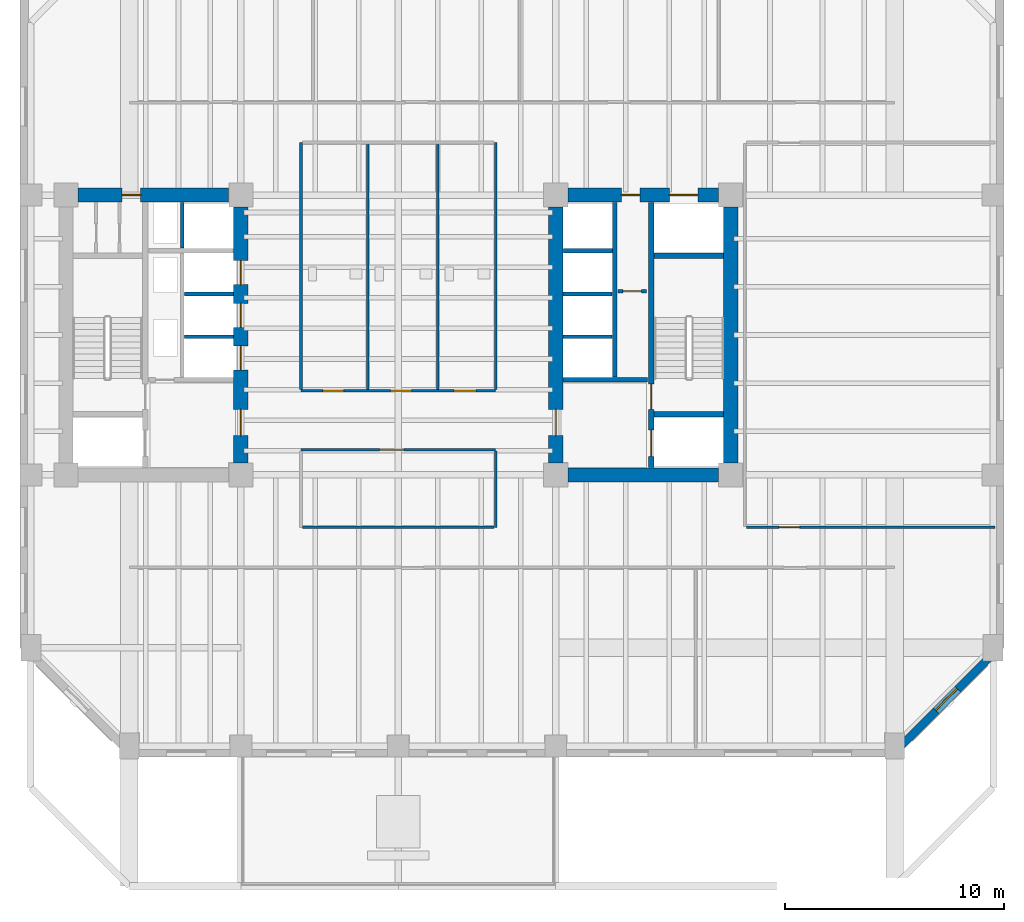
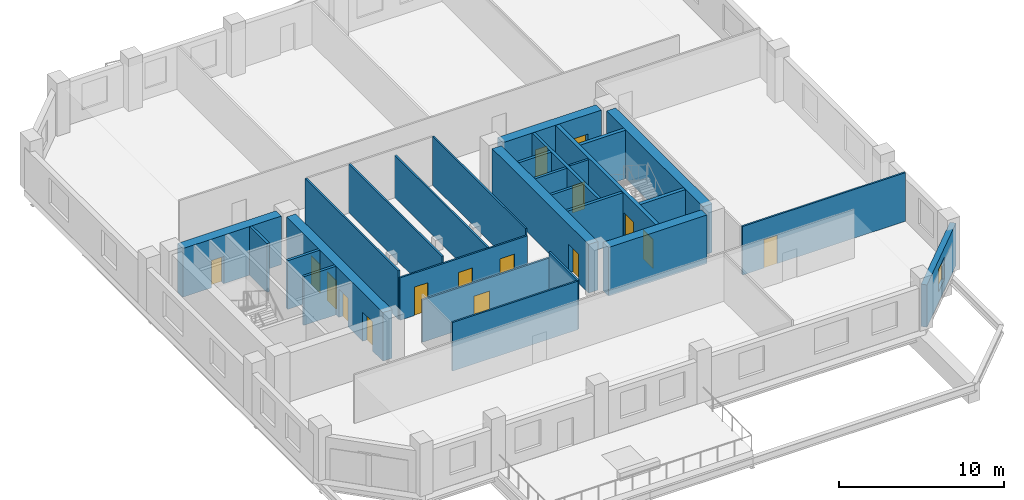
# One storey, part 4 of 10: 28 walls, 16 doors, 1 window, 17 openings.
"""IFC4 building model written with IfcOpenShell, lengths in metres."""

from ifc_helpers import new_model, si_unit, direction, frame, frame_2d, origin, place, context, subcontext, project, spatial, rectangle, extrude, material, layer, layer_set, type_object, element, fill, save


model = new_model("IFC4")

# Units and contexts
model_context = context("Model", 3, precision=1e-05, world=origin(), true_north=direction((0.0, 1.0)))
body_context = subcontext(model_context, "Body", "Model", "MODEL_VIEW")
ifc_project = project(units=[si_unit("LENGTHUNIT", "METRE"), si_unit("AREAUNIT", "SQUARE_METRE"), si_unit("VOLUMEUNIT", "CUBIC_METRE"), si_unit("PLANEANGLEUNIT", "RADIAN"), si_unit("MASSUNIT", "GRAM", prefix="KILO")], contexts=[model_context])

# Site, building, storey
site_placement = place(None, origin())
site = spatial("IfcSite", under=ifc_project, at=site_placement, CompositionType="ELEMENT")
building_placement = place(site_placement, origin())
building = spatial("IfcBuilding", under=site, at=building_placement, Name="Kranthara Brick Stack", CompositionType="ELEMENT")
storey_placement = place(building_placement, frame((0.0, 0.0, 71.10009765625)))
storey = spatial("IfcBuildingStorey", under=building, at=storey_placement, Name="L17", CompositionType="ELEMENT", Elevation=71.10009765625)

# Wall, opening, window
ifc_material_1 = material(Name="Kiln-fired clay brick masonry M15", Category="masonry")
ifc_layer_1 = layer(ifc_material_1, 0.3798828125)
ifc_layer_set_1 = layer_set([ifc_layer_1], Name="Kiln-fired clay brick masonry M15")
wall_type_1 = type_object("IfcWallType", Name="WL-BRK-PIER-380", PredefinedType="STANDARD", material=ifc_layer_set_1)
wall_1_placement = place(storey_placement, frame((55.489990234375, 12.89990234375, 0.0), z_axis=(0.0, 0.0, 1.0), x_axis=(-0.707124801467, -0.707088760447, 0.0)))
wall_1 = element("IfcWall", 1, at=wall_1_placement, inside=storey, type_object=wall_type_1, Name="L17 Exterior Brick Facade Wall SE 1", PredefinedType="STANDARD", context=body_context, shape_type="SweptSolid", body=[
    extrude(rectangle(XDim=6.77392578125, YDim=0.3798828125, at=frame_2d((3.386962890625, 0.0))), origin(), (0.0, 0.0, 1.0), 3.135009765625),
])
opening_1_placement = place(wall_1_placement, frame((2.68701171875, 0.0, 0.800048828125)))
opening_1 = element("IfcOpeningElement", 2, at=opening_1_placement, cuts=wall_1, Name="Opening WN10", PredefinedType="OPENING", context=body_context, shape_type="SweptSolid", body=[
    extrude(rectangle(XDim=1.39990234375, YDim=1.64990234375, at=frame_2d((0.699951171875, 0.824951171875))), frame((0.0, 0.199951171875, 0.0), z_axis=(0.0, -1.0, 0.0), x_axis=(1.0, 0.0, 0.0)), (0.0, 0.0, 1.0), 0.39990234375),
])
ifc_material_2 = material(Name="Double-glazed low-E solar control glass", Category="glass")
window_type = type_object("IfcWindowType", Name="WN-CHM-1400x1750", PartitioningType="SINGLE_PANEL", PredefinedType="WINDOW", material=ifc_material_2)
window_placement = place(opening_1_placement, origin())
window = element("IfcWindow", 3, at=window_placement, inside=storey, type_object=window_type, Name="L17 SE Chamfer Corner Window", OverallHeight=1.64990234375, OverallWidth=1.39990234375, PartitioningType="SINGLE_PANEL", PredefinedType="WINDOW", context=body_context, shape_type="SweptSolid", body=[
    extrude(rectangle(XDim=1.39990234375, YDim=1.64990234375, at=frame_2d((0.699951171875, 0.824951171875))), frame((0.0, -0.010009765625, 0.0), z_axis=(0.0, -1.0, 0.0), x_axis=(1.0, 0.0, 0.0)), (0.0, 0.0, 1.0), 0.06005859375),
])
fill(opening_1, window)

# Wall, openings, doors
ifc_material_3 = material(Name="Concrete C50/60", Category="concrete")
ifc_layer_2 = layer(ifc_material_3, 0.25)
ifc_layer_set_2 = layer_set([ifc_layer_2], Name="Concrete C50/60")
wall_type_2 = type_object("IfcWallType", Name="WL-CORE-250", PredefinedType="SHEAR", material=ifc_layer_set_2)
wall_2_placement = place(storey_placement, frame((39.56494140625, 21.135009765625, 0.0), z_axis=(0.0, 0.0, 1.0), x_axis=(0.0, 1.0, 0.0)))
wall_2 = element("IfcWall", 4, at=wall_2_placement, inside=storey, type_object=wall_type_2, Name="L17 East Core Stair Bearing Spine Wall", PredefinedType="SHEAR", context=body_context, shape_type="SweptSolid", body=[
    extrude(rectangle(XDim=12.1298828125, YDim=0.25, at=frame_2d((6.06494140625, 0.0))), origin(), (0.0, 0.0, 1.0), 3.599853515625),
])
opening_2_placement = place(wall_2_placement, frame((0.514892578125, 0.0, 0.0)))
opening_2 = element("IfcOpeningElement", 5, at=opening_2_placement, cuts=wall_2, Name="Opening LD01", PredefinedType="OPENING", context=body_context, shape_type="SweptSolid", body=[
    extrude(rectangle(XDim=1.199951171875, YDim=2.14990234375, at=frame_2d((0.60009765625, 1.074951171875))), frame((0.0, 0.135009765625, 0.0), z_axis=(0.0, -1.0, 0.0), x_axis=(1.0, 0.0, 0.0)), (0.0, 0.0, 1.0), 0.27001953125),
])
opening_3_placement = place(wall_2_placement, frame((2.6650390625, 0.0, 0.0)))
opening_3 = element("IfcOpeningElement", 6, at=opening_3_placement, cuts=wall_2, Name="Opening D05", PredefinedType="OPENING", context=body_context, shape_type="SweptSolid", body=[
    extrude(rectangle(XDim=1.14990234375, YDim=2.14990234375, at=frame_2d((0.574951171875, 1.074951171875))), frame((0.0, 0.135009765625, 0.0), z_axis=(0.0, -1.0, 0.0), x_axis=(1.0, 0.0, 0.0)), (0.0, 0.0, 1.0), 0.27001953125),
])
ifc_material_4 = material(Name="Stainless steel sliding landing door", Category="steel")
door_type_1 = type_object("IfcDoorType", Name="DR-LD-FF1200", OperationType="DOUBLE_DOOR_SLIDING", PredefinedType="DOOR", material=ifc_material_4)
door_1_placement = place(opening_2_placement, origin())
door_1 = element("IfcDoor", 7, at=door_1_placement, inside=storey, type_object=door_type_1, Name="L17 Firefighting Lift FF-02 Landing Door", OperationType="DOUBLE_DOOR_SLIDING", OverallHeight=2.14990234375, OverallWidth=1.199951171875, PredefinedType="DOOR", context=body_context, shape_type="SweptSolid", body=[
    extrude(rectangle(XDim=1.199951171875, YDim=2.14990234375, at=frame_2d((0.60009765625, 1.074951171875))), frame((0.0, 0.02490234375, 0.0), z_axis=(0.0, -1.0, 0.0), x_axis=(1.0, 0.0, 0.0)), (0.0, 0.0, 1.0), 0.050048828125),
])
fill(opening_2, door_1)
ifc_material_5 = material(Name="Solid-core hardwood timber leaf in steel frame", Category="steel")
door_type_2 = type_object("IfcDoorType", Name="DR-ST-1150", OperationType="NOTDEFINED", PredefinedType="DOOR", material=ifc_material_5)
door_2_placement = place(opening_3_placement, origin())
door_2 = element("IfcDoor", 8, at=door_2_placement, inside=storey, type_object=door_type_2, Name="L17 Exit Stair ST02 Door", OperationType="SINGLE_SWING_LEFT", OverallHeight=2.14990234375, OverallWidth=1.14990234375, PredefinedType="DOOR", context=body_context, shape_type="SweptSolid", body=[
    extrude(rectangle(XDim=1.14990234375, YDim=2.14990234375, at=frame_2d((0.574951171875, 1.074951171875))), frame((0.0, 0.02490234375, 0.0), z_axis=(0.0, -1.0, 0.0), x_axis=(1.0, 0.0, 0.0)), (0.0, 0.0, 1.0), 0.050048828125),
])
fill(opening_3, door_2)

# Walls
for number, where, z_axis, x_axis, name in (
    (9, (39.68994140625, 23.570068359375, 0.0), (0.0, 0.0, 1.0), (1.0, 0.0, 0.0), "L17 East Stairwell Bearing Wall EFF"),
    (10, (39.68994140625, 30.830078125, 0.0), (0.0, 0.0, 1.0), (1.0, 0.0, 0.0), "L17 East Stairwell Bearing Wall EST"),
):
    element("IfcWall", number, at=place(storey_placement, frame(where, z_axis=z_axis, x_axis=x_axis)), inside=storey, type_object=wall_type_2, Name=name, PredefinedType="SHEAR", context=body_context, shape_type="SweptSolid", body=[
        extrude(rectangle(XDim=3.175048828125, YDim=0.25, at=frame_2d((1.58740234375, 0.0))), origin(), (0.0, 0.0, 1.0), 3.599853515625),
    ])

# Wall, opening, door
ifc_material_6 = material(Name="Concrete C60/75", Category="concrete")
ifc_layer_3 = layer(ifc_material_6, 0.64990234375)
ifc_layer_set_3 = layer_set([ifc_layer_3], Name="Concrete C60/75")
wall_type_3 = type_object("IfcWallType", Name="WL-CORE-650", PredefinedType="SHEAR", material=ifc_layer_set_3)
wall_3_placement = place(storey_placement, frame((13.35498046875, 33.60009765625, 0.0), z_axis=(0.0, 0.0, 1.0), x_axis=(1.0, 0.0, 0.0)))
wall_3 = element("IfcWall", 11, at=wall_3_placement, inside=storey, type_object=wall_type_3, Name="L17 West Core Shear Wall North", PredefinedType="SHEAR", context=body_context, shape_type="SweptSolid", body=[
    extrude(rectangle(XDim=6.89013671875, YDim=0.64990234375, at=frame_2d((3.445068359375, 0.0))), origin(), (0.0, 0.0, 1.0), 3.599853515625),
])
opening_4_placement = place(wall_3_placement, frame((2.014892578125, 0.0, 0.0)))
opening_4 = element("IfcOpeningElement", 12, at=opening_4_placement, cuts=wall_3, Name="Opening D10", PredefinedType="OPENING", context=body_context, shape_type="SweptSolid", body=[
    extrude(rectangle(XDim=0.85009765625, YDim=2.02001953125, at=frame_2d((0.425048828125, 1.010009765625))), frame((0.0, 0.3349609375, 0.0), z_axis=(0.0, -1.0, 0.0), x_axis=(1.0, 0.0, 0.0)), (0.0, 0.0, 1.0), 0.669921875),
])
ifc_material_7 = material(Name="Solid-core hardwood timber leaf in steel frame", Category="steel")
door_type_3 = type_object("IfcDoorType", Name="DR-RSR-850", OperationType="NOTDEFINED", PredefinedType="DOOR", material=ifc_material_7)
door_3_placement = place(opening_4_placement, origin())
door_3 = element("IfcDoor", 13, at=door_3_placement, inside=storey, type_object=door_type_3, Name="L17 West Core Service Door 1", OperationType="SINGLE_SWING_RIGHT", OverallHeight=2.02001953125, OverallWidth=0.85009765625, PredefinedType="DOOR", context=body_context, shape_type="SweptSolid", body=[
    extrude(rectangle(XDim=0.85009765625, YDim=2.02001953125, at=frame_2d((0.425048828125, 1.010009765625))), frame((0.0, 0.02490234375, 0.0), z_axis=(0.0, -1.0, 0.0), x_axis=(1.0, 0.0, 0.0)), (0.0, 0.0, 1.0), 0.050048828125),
])
fill(opening_4, door_3)

# Wall, openings, doors
wall_4_placement = place(storey_placement, frame((20.800048828125, 21.35498046875, 0.0), z_axis=(0.0, 0.0, 1.0), x_axis=(0.0, 1.0, 0.0)))
wall_4 = element("IfcWall", 14, at=wall_4_placement, inside=storey, type_object=wall_type_3, Name="L17 West Core Shear Wall East", PredefinedType="SHEAR", context=body_context, shape_type="SweptSolid", body=[
    extrude(rectangle(XDim=11.68994140625, YDim=0.64990234375, at=frame_2d((5.844970703125, 0.0))), origin(), (0.0, 0.0, 1.0), 3.599853515625),
])
opening_5_placement = place(wall_4_placement, frame((1.2451171875, 0.0, 0.0)))
opening_5 = element("IfcOpeningElement", 15, at=opening_5_placement, cuts=wall_4, Name="Opening D06", PredefinedType="OPENING", context=body_context, shape_type="SweptSolid", body=[
    extrude(rectangle(XDim=1.199951171875, YDim=2.14990234375, at=frame_2d((0.60009765625, 1.074951171875))), frame((0.0, 0.3349609375, 0.0), z_axis=(0.0, -1.0, 0.0), x_axis=(1.0, 0.0, 0.0)), (0.0, 0.0, 1.0), 0.669921875),
])
opening_6_placement = place(wall_4_placement, frame((4.2451171875, 0.0, 0.0)))
opening_6 = element("IfcOpeningElement", 16, at=opening_6_placement, cuts=wall_4, Name="Opening LD02", PredefinedType="OPENING", context=body_context, shape_type="SweptSolid", body=[
    extrude(rectangle(XDim=1.10009765625, YDim=2.10009765625, at=frame_2d((0.550048828125, 1.050048828125))), frame((0.0, 0.3349609375, 0.0), z_axis=(0.0, -1.0, 0.0), x_axis=(1.0, 0.0, 0.0)), (0.0, 0.0, 1.0), 0.669921875),
])
opening_7_placement = place(wall_4_placement, frame((6.195068359375, 0.0, 0.0)))
opening_7 = element("IfcOpeningElement", 17, at=opening_7_placement, cuts=wall_4, Name="Opening LD02", PredefinedType="OPENING", context=body_context, shape_type="SweptSolid", body=[
    extrude(rectangle(XDim=1.10009765625, YDim=2.10009765625, at=frame_2d((0.550048828125, 1.050048828125))), frame((0.0, 0.3349609375, 0.0), z_axis=(0.0, -1.0, 0.0), x_axis=(1.0, 0.0, 0.0)), (0.0, 0.0, 1.0), 0.669921875),
])
opening_8_placement = place(wall_4_placement, frame((8.14501953125, 0.0, 0.0)))
opening_8 = element("IfcOpeningElement", 18, at=opening_8_placement, cuts=wall_4, Name="Opening LD02", PredefinedType="OPENING", context=body_context, shape_type="SweptSolid", body=[
    extrude(rectangle(XDim=1.10009765625, YDim=2.10009765625, at=frame_2d((0.550048828125, 1.050048828125))), frame((0.0, 0.3349609375, 0.0), z_axis=(0.0, -1.0, 0.0), x_axis=(1.0, 0.0, 0.0)), (0.0, 0.0, 1.0), 0.669921875),
])
ifc_material_8 = material(Name="Solid-core hardwood timber leaf in steel frame", Category="steel")
door_type_4 = type_object("IfcDoorType", Name="DR-FFL-1200", OperationType="NOTDEFINED", PredefinedType="DOOR", material=ifc_material_8)
door_4_placement = place(opening_5_placement, origin())
door_4 = element("IfcDoor", 19, at=door_4_placement, inside=storey, type_object=door_type_4, Name="L17 West Firefighting Lobby Door", OperationType="SINGLE_SWING_LEFT", OverallHeight=2.14990234375, OverallWidth=1.199951171875, PredefinedType="DOOR", context=body_context, shape_type="SweptSolid", body=[
    extrude(rectangle(XDim=1.199951171875, YDim=2.14990234375, at=frame_2d((0.60009765625, 1.074951171875))), frame((0.0, 0.02490234375, 0.0), z_axis=(0.0, -1.0, 0.0), x_axis=(1.0, 0.0, 0.0)), (0.0, 0.0, 1.0), 0.050048828125),
])
fill(opening_5, door_4)
ifc_material_9 = material(Name="Stainless steel sliding landing door", Category="steel")
door_type_5 = type_object("IfcDoorType", Name="DR-LD-PL1100", OperationType="DOUBLE_DOOR_SLIDING", PredefinedType="DOOR", material=ifc_material_9)
door_5_placement = place(opening_6_placement, origin())
door_5 = element("IfcDoor", 20, at=door_5_placement, inside=storey, type_object=door_type_5, Name="L17 PL-01 Lift Landing Door", OperationType="DOUBLE_DOOR_SLIDING", OverallHeight=2.10009765625, OverallWidth=1.10009765625, PredefinedType="DOOR", context=body_context, shape_type="SweptSolid", body=[
    extrude(rectangle(XDim=1.10009765625, YDim=2.10009765625, at=frame_2d((0.550048828125, 1.050048828125))), frame((0.0, 0.02490234375, 0.0), z_axis=(0.0, -1.0, 0.0), x_axis=(1.0, 0.0, 0.0)), (0.0, 0.0, 1.0), 0.050048828125),
])
fill(opening_6, door_5)
door_6_placement = place(opening_7_placement, origin())
door_6 = element("IfcDoor", 21, at=door_6_placement, inside=storey, type_object=door_type_5, Name="L17 PL-02 Lift Landing Door", OperationType="DOUBLE_DOOR_SLIDING", OverallHeight=2.10009765625, OverallWidth=1.10009765625, PredefinedType="DOOR", context=body_context, shape_type="SweptSolid", body=[
    extrude(rectangle(XDim=1.10009765625, YDim=2.10009765625, at=frame_2d((0.550048828125, 1.050048828125))), frame((0.0, 0.02490234375, 0.0), z_axis=(0.0, -1.0, 0.0), x_axis=(1.0, 0.0, 0.0)), (0.0, 0.0, 1.0), 0.050048828125),
])
fill(opening_7, door_6)
door_7_placement = place(opening_8_placement, origin())
door_7 = element("IfcDoor", 22, at=door_7_placement, inside=storey, type_object=door_type_5, Name="L17 PL-03 Lift Landing Door", OperationType="DOUBLE_DOOR_SLIDING", OverallHeight=2.10009765625, OverallWidth=1.10009765625, PredefinedType="DOOR", context=body_context, shape_type="SweptSolid", body=[
    extrude(rectangle(XDim=1.10009765625, YDim=2.10009765625, at=frame_2d((0.550048828125, 1.050048828125))), frame((0.0, 0.02490234375, 0.0), z_axis=(0.0, -1.0, 0.0), x_axis=(1.0, 0.0, 0.0)), (0.0, 0.0, 1.0), 0.050048828125),
])
fill(opening_8, door_7)

# Walls
wall_5_placement = place(storey_placement, frame((43.199951171875, 21.35498046875, 0.0), z_axis=(0.0, 0.0, 1.0), x_axis=(0.0, 1.0, 0.0)))
element("IfcWall", 23, at=wall_5_placement, inside=storey, type_object=wall_type_3, Name="L17 East Core Shear Wall East", PredefinedType="SHEAR", context=body_context, shape_type="SweptSolid", body=[
    extrude(rectangle(XDim=11.68994140625, YDim=0.64990234375, at=frame_2d((5.844970703125, 0.0))), origin(), (0.0, 0.0, 1.0), 3.599853515625),
])
wall_6_placement = place(storey_placement, frame((35.7548828125, 20.800048828125, 0.0), z_axis=(0.0, 0.0, 1.0), x_axis=(1.0, 0.0, 0.0)))
element("IfcWall", 24, at=wall_6_placement, inside=storey, type_object=wall_type_3, Name="L17 East Core Shear Wall South", PredefinedType="SHEAR", context=body_context, shape_type="SweptSolid", body=[
    extrude(rectangle(XDim=6.89013671875, YDim=0.64990234375, at=frame_2d((3.445068359375, 0.0))), origin(), (0.0, 0.0, 1.0), 3.599853515625),
])

# Wall, openings, doors
wall_7_placement = place(storey_placement, frame((35.7548828125, 33.60009765625, 0.0), z_axis=(0.0, 0.0, 1.0), x_axis=(1.0, 0.0, 0.0)))
wall_7 = element("IfcWall", 25, at=wall_7_placement, inside=storey, type_object=wall_type_3, Name="L17 East Core Shear Wall North", PredefinedType="SHEAR", context=body_context, shape_type="SweptSolid", body=[
    extrude(rectangle(XDim=6.89013671875, YDim=0.64990234375, at=frame_2d((3.445068359375, 0.0))), origin(), (0.0, 0.0, 1.0), 3.599853515625),
])
opening_9_placement = place(wall_7_placement, frame((4.64501953125, 0.0, 0.0)))
opening_9 = element("IfcOpeningElement", 26, at=opening_9_placement, cuts=wall_7, Name="Opening LD03", PredefinedType="OPENING", context=body_context, shape_type="SweptSolid", body=[
    extrude(rectangle(XDim=1.300048828125, YDim=2.14990234375, at=frame_2d((0.64990234375, 1.074951171875))), frame((0.0, 0.3349609375, 0.0), z_axis=(0.0, -1.0, 0.0), x_axis=(1.0, 0.0, 0.0)), (0.0, 0.0, 1.0), 0.669921875),
])
opening_10_placement = place(wall_7_placement, frame((2.445068359375, 0.0, 0.0)))
opening_10 = element("IfcOpeningElement", 27, at=opening_10_placement, cuts=wall_7, Name="Opening D10", PredefinedType="OPENING", context=body_context, shape_type="SweptSolid", body=[
    extrude(rectangle(XDim=0.85009765625, YDim=2.02001953125, at=frame_2d((0.425048828125, 1.010009765625))), frame((0.0, 0.3349609375, 0.0), z_axis=(0.0, -1.0, 0.0), x_axis=(1.0, 0.0, 0.0)), (0.0, 0.0, 1.0), 0.669921875),
])
ifc_material_10 = material(Name="Stainless steel sliding landing door", Category="steel")
door_type_6 = type_object("IfcDoorType", Name="DR-LD-SV1300", OperationType="DOUBLE_DOOR_SLIDING", PredefinedType="DOOR", material=ifc_material_10)
door_8_placement = place(opening_9_placement, origin())
door_8 = element("IfcDoor", 28, at=door_8_placement, inside=storey, type_object=door_type_6, Name="L17 Stretcher Service Lift SV-01 Landing Door", OperationType="DOUBLE_DOOR_SLIDING", OverallHeight=2.14990234375, OverallWidth=1.300048828125, PredefinedType="DOOR", context=body_context, shape_type="SweptSolid", body=[
    extrude(rectangle(XDim=1.300048828125, YDim=2.14990234375, at=frame_2d((0.64990234375, 1.074951171875))), frame((0.0, 0.02490234375, 0.0), z_axis=(0.0, -1.0, 0.0), x_axis=(1.0, 0.0, 0.0)), (0.0, 0.0, 1.0), 0.050048828125),
])
fill(opening_9, door_8)
door_9_placement = place(opening_10_placement, origin())
door_9 = element("IfcDoor", 29, at=door_9_placement, inside=storey, type_object=door_type_3, Name="L17 East Core Service Room Door", OperationType="SINGLE_SWING_LEFT", OverallHeight=2.02001953125, OverallWidth=0.85009765625, PredefinedType="DOOR", context=body_context, shape_type="SweptSolid", body=[
    extrude(rectangle(XDim=0.85009765625, YDim=2.02001953125, at=frame_2d((0.425048828125, 1.010009765625))), frame((0.0, 0.02490234375, 0.0), z_axis=(0.0, -1.0, 0.0), x_axis=(1.0, 0.0, 0.0)), (0.0, 0.0, 1.0), 0.050048828125),
])
fill(opening_10, door_9)

# Wall, opening, door
wall_8_placement = place(storey_placement, frame((35.199951171875, 21.35498046875, 0.0), z_axis=(0.0, 0.0, 1.0), x_axis=(0.0, 1.0, 0.0)))
wall_8 = element("IfcWall", 30, at=wall_8_placement, inside=storey, type_object=wall_type_3, Name="L17 East Core Shear Wall West", PredefinedType="SHEAR", context=body_context, shape_type="SweptSolid", body=[
    extrude(rectangle(XDim=11.68994140625, YDim=0.64990234375, at=frame_2d((5.844970703125, 0.0))), origin(), (0.0, 0.0, 1.0), 3.599853515625),
])
opening_11_placement = place(wall_8_placement, frame((1.2451171875, 0.0, 0.0)))
opening_11 = element("IfcOpeningElement", 31, at=opening_11_placement, cuts=wall_8, Name="Opening D06", PredefinedType="OPENING", context=body_context, shape_type="SweptSolid", body=[
    extrude(rectangle(XDim=1.199951171875, YDim=2.14990234375, at=frame_2d((0.60009765625, 1.074951171875))), frame((0.0, 0.3349609375, 0.0), z_axis=(0.0, -1.0, 0.0), x_axis=(1.0, 0.0, 0.0)), (0.0, 0.0, 1.0), 0.669921875),
])
door_10_placement = place(opening_11_placement, origin())
door_10 = element("IfcDoor", 32, at=door_10_placement, inside=storey, type_object=door_type_4, Name="L17 East Firefighting Lobby Door", OperationType="SINGLE_SWING_RIGHT", OverallHeight=2.14990234375, OverallWidth=1.199951171875, PredefinedType="DOOR", context=body_context, shape_type="SweptSolid", body=[
    extrude(rectangle(XDim=1.199951171875, YDim=2.14990234375, at=frame_2d((0.60009765625, 1.074951171875))), frame((0.0, 0.02490234375, 0.0), z_axis=(0.0, -1.0, 0.0), x_axis=(1.0, 0.0, 0.0)), (0.0, 0.0, 1.0), 0.050048828125),
])
fill(opening_11, door_10)

# Wall, openings, doors
ifc_material_11 = material(Name="Acoustic gypsum plasterboard partition", Category="other")
ifc_layer_4 = layer(ifc_material_11, 0.1201171875)
ifc_layer_set_4 = layer_set([ifc_layer_4], Name="Acoustic gypsum plasterboard partition")
wall_type_4 = type_object("IfcWallType", Name="WL-PART-120", PredefinedType="PARTITIONING", material=ifc_layer_set_4)
wall_9_placement = place(storey_placement, frame((23.550048828125, 24.64990234375, 0.0), z_axis=(0.0, 0.0, 1.0), x_axis=(1.0, 0.0, 0.0)))
wall_9 = element("IfcWall", 33, at=wall_9_placement, inside=storey, type_object=wall_type_4, Name="L17 Interior Partition 004", PredefinedType="PARTITIONING", context=body_context, shape_type="SweptSolid", body=[
    extrude(rectangle(XDim=8.89990234375, YDim=0.1201171875, at=frame_2d((4.449951171875, 0.0))), origin(), (0.0, 0.0, 1.0), 3.135009765625),
])
opening_12_placement = place(wall_9_placement, frame((1.0, 0.0, 0.0)))
opening_12 = element("IfcOpeningElement", 34, at=opening_12_placement, cuts=wall_9, Name="Opening D14", PredefinedType="OPENING", context=body_context, shape_type="SweptSolid", body=[
    extrude(rectangle(XDim=0.949951171875, YDim=2.10009765625, at=frame_2d((0.47509765625, 1.050048828125))), frame((0.0, 0.070068359375, 0.0), z_axis=(0.0, -1.0, 0.0), x_axis=(1.0, 0.0, 0.0)), (0.0, 0.0, 1.0), 0.14013671875),
])
opening_13_placement = place(wall_9_placement, frame((4.10009765625, 0.0, 0.0)))
opening_13 = element("IfcOpeningElement", 35, at=opening_13_placement, cuts=wall_9, Name="Opening D14", PredefinedType="OPENING", context=body_context, shape_type="SweptSolid", body=[
    extrude(rectangle(XDim=0.949951171875, YDim=2.10009765625, at=frame_2d((0.47509765625, 1.050048828125))), frame((0.0, 0.070068359375, 0.0), z_axis=(0.0, -1.0, 0.0), x_axis=(1.0, 0.0, 0.0)), (0.0, 0.0, 1.0), 0.14013671875),
])
opening_14_placement = place(wall_9_placement, frame((7.0, 0.0, 0.0)))
opening_14 = element("IfcOpeningElement", 36, at=opening_14_placement, cuts=wall_9, Name="Opening D18", PredefinedType="OPENING", context=body_context, shape_type="SweptSolid", body=[
    extrude(rectangle(XDim=1.0, YDim=2.10009765625, at=frame_2d((0.5, 1.050048828125))), frame((0.0, 0.070068359375, 0.0), z_axis=(0.0, -1.0, 0.0), x_axis=(1.0, 0.0, 0.0)), (0.0, 0.0, 1.0), 0.14013671875),
])
ifc_material_12 = material(Name="Solid-core hardwood timber leaf in steel frame", Category="steel")
door_type_7 = type_object("IfcDoorType", Name="DR-ACC-1000", OperationType="NOTDEFINED", PredefinedType="DOOR", material=ifc_material_12)
door_11_placement = place(opening_14_placement, origin())
door_11 = element("IfcDoor", 37, at=door_11_placement, inside=storey, type_object=door_type_7, Name="L17 Accessible WC Door 06", OperationType="SINGLE_SWING_RIGHT", OverallHeight=2.10009765625, OverallWidth=1.0, PredefinedType="DOOR", context=body_context, shape_type="SweptSolid", body=[
    extrude(rectangle(XDim=1.0, YDim=2.10009765625, at=frame_2d((0.5, 1.050048828125))), frame((0.0, 0.02490234375, 0.0), z_axis=(0.0, -1.0, 0.0), x_axis=(1.0, 0.0, 0.0)), (0.0, 0.0, 1.0), 0.050048828125),
])
fill(opening_14, door_11)
ifc_material_13 = material(Name="Solid-core hardwood timber leaf in steel frame", Category="steel")
door_type_8 = type_object("IfcDoorType", Name="DR-INT-950", OperationType="NOTDEFINED", PredefinedType="DOOR", material=ifc_material_13)
door_12_placement = place(opening_12_placement, origin())
door_12 = element("IfcDoor", 38, at=door_12_placement, inside=storey, type_object=door_type_8, Name="L17 Male WC Door 04", OperationType="SINGLE_SWING_RIGHT", OverallHeight=2.10009765625, OverallWidth=0.949951171875, PredefinedType="DOOR", context=body_context, shape_type="SweptSolid", body=[
    extrude(rectangle(XDim=0.949951171875, YDim=2.10009765625, at=frame_2d((0.47509765625, 1.050048828125))), frame((0.0, 0.02490234375, 0.0), z_axis=(0.0, -1.0, 0.0), x_axis=(1.0, 0.0, 0.0)), (0.0, 0.0, 1.0), 0.050048828125),
])
fill(opening_12, door_12)
door_13_placement = place(opening_13_placement, origin())
door_13 = element("IfcDoor", 39, at=door_13_placement, inside=storey, type_object=door_type_8, Name="L17 Female WC Door 05", OperationType="SINGLE_SWING_LEFT", OverallHeight=2.10009765625, OverallWidth=0.949951171875, PredefinedType="DOOR", context=body_context, shape_type="SweptSolid", body=[
    extrude(rectangle(XDim=0.949951171875, YDim=2.10009765625, at=frame_2d((0.47509765625, 1.050048828125))), frame((0.0, 0.02490234375, 0.0), z_axis=(0.0, -1.0, 0.0), x_axis=(1.0, 0.0, 0.0)), (0.0, 0.0, 1.0), 0.050048828125),
])
fill(opening_13, door_13)

# Walls
for number, where, z_axis, x_axis, name in (
    (40, (23.550048828125, 24.715087890625, 0.0), (0.0, 0.0, 1.0), (0.0, 1.0, 0.0), "L17 Interior Partition 005"),
    (41, (32.449951171875, 24.715087890625, 0.0), (0.0, 0.0, 1.0), (0.0, 1.0, 0.0), "L17 Interior Partition 006"),
    (42, (26.60009765625, 24.715087890625, 0.0), (0.0, 0.0, 1.0), (0.0, 1.0, 0.0), "L17 Interior Partition 007"),
):
    element("IfcWall", number, at=place(storey_placement, frame(where, z_axis=z_axis, x_axis=x_axis)), inside=storey, type_object=wall_type_4, Name=name, PredefinedType="PARTITIONING", context=body_context, shape_type="SweptSolid", body=[
        extrude(rectangle(XDim=11.284912109375, YDim=0.1201171875, at=frame_2d((5.642578125, 0.0))), origin(), (0.0, 0.0, 1.0), 3.599853515625),
    ])
wall_10_placement = place(storey_placement, frame((29.800048828125, 24.715087890625, 0.0), z_axis=(0.0, 0.0, 1.0), x_axis=(0.0, 1.0, 0.0)))
element("IfcWall", 43, at=wall_10_placement, inside=storey, type_object=wall_type_4, Name="L17 Interior Partition 008", PredefinedType="PARTITIONING", context=body_context, shape_type="SweptSolid", body=[
    extrude(rectangle(XDim=11.284912109375, YDim=0.1201171875, at=frame_2d((5.642578125, 0.0))), origin(), (0.0, 0.0, 1.0), 3.135009765625),
])

# Wall, opening, door
wall_11_placement = place(storey_placement, frame((23.550048828125, 21.949951171875, 0.0), z_axis=(0.0, 0.0, 1.0), x_axis=(1.0, 0.0, 0.0)))
wall_11 = element("IfcWall", 44, at=wall_11_placement, inside=storey, type_object=wall_type_4, Name="L17 Interior Partition 010", PredefinedType="PARTITIONING", context=body_context, shape_type="SweptSolid", body=[
    extrude(rectangle(XDim=8.89990234375, YDim=0.1201171875, at=frame_2d((4.449951171875, 0.0))), origin(), (0.0, 0.0, 1.0), 3.135009765625),
])
opening_15_placement = place(wall_11_placement, frame((3.60009765625, 0.0, 0.0)))
opening_15 = element("IfcOpeningElement", 45, at=opening_15_placement, cuts=wall_11, Name="Opening D11", PredefinedType="OPENING", context=body_context, shape_type="SweptSolid", body=[
    extrude(rectangle(XDim=1.10009765625, YDim=2.14990234375, at=frame_2d((0.550048828125, 1.074951171875))), frame((0.0, 0.070068359375, 0.0), z_axis=(0.0, -1.0, 0.0), x_axis=(1.0, 0.0, 0.0)), (0.0, 0.0, 1.0), 0.14013671875),
])
ifc_material_14 = material(Name="Solid-core hardwood timber leaf in steel frame", Category="steel")
door_type_9 = type_object("IfcDoorType", Name="DR-INT-1100", OperationType="NOTDEFINED", PredefinedType="DOOR", material=ifc_material_14)
door_14_placement = place(opening_15_placement, origin())
door_14 = element("IfcDoor", 46, at=door_14_placement, inside=storey, type_object=door_type_9, Name="L17 Internal Briefing Room 07", OperationType="SINGLE_SWING_LEFT", OverallHeight=2.14990234375, OverallWidth=1.10009765625, PredefinedType="DOOR", context=body_context, shape_type="SweptSolid", body=[
    extrude(rectangle(XDim=1.10009765625, YDim=2.14990234375, at=frame_2d((0.550048828125, 1.074951171875))), frame((0.0, 0.02490234375, 0.0), z_axis=(0.0, -1.0, 0.0), x_axis=(1.0, 0.0, 0.0)), (0.0, 0.0, 1.0), 0.050048828125),
])
fill(opening_15, door_14)

# Walls
wall_12_placement = place(storey_placement, frame((32.449951171875, 18.39990234375, 0.0), z_axis=(0.0, 0.0, 1.0), x_axis=(0.0, 1.0, 0.0)))
element("IfcWall", 47, at=wall_12_placement, inside=storey, type_object=wall_type_4, Name="L17 Interior Partition 012", PredefinedType="PARTITIONING", context=body_context, shape_type="SweptSolid", body=[
    extrude(rectangle(XDim=3.485107421875, YDim=0.1201171875, at=frame_2d((1.74267578125, 0.0))), origin(), (0.0, 0.0, 1.0), 3.599853515625),
])
wall_13_placement = place(storey_placement, frame((23.614990234375, 18.39990234375, 0.0), z_axis=(0.0, 0.0, 1.0), x_axis=(1.0, 0.0, 0.0)))
element("IfcWall", 48, at=wall_13_placement, inside=storey, type_object=wall_type_4, Name="L17 Interior Partition 013", PredefinedType="PARTITIONING", context=body_context, shape_type="SweptSolid", body=[
    extrude(rectangle(XDim=8.77001953125, YDim=0.1201171875, at=frame_2d((4.385009765625, 0.0))), origin(), (0.0, 0.0, 1.0), 3.599853515625),
])

# Wall, opening, door
wall_14_placement = place(storey_placement, frame((43.9150390625, 18.39990234375, 0.0), z_axis=(0.0, 0.0, 1.0), x_axis=(1.0, 0.0, 0.0)))
wall_14 = element("IfcWall", 49, at=wall_14_placement, inside=storey, type_object=wall_type_4, Name="L17 Interior Partition 021", PredefinedType="PARTITIONING", context=body_context, shape_type="SweptSolid", body=[
    extrude(rectangle(XDim=11.3798828125, YDim=0.1201171875, at=frame_2d((5.68994140625, 0.0))), origin(), (0.0, 0.0, 1.0), 3.599853515625),
])
opening_16_placement = place(wall_14_placement, frame((1.485107421875, 0.0, 0.0)))
opening_16 = element("IfcOpeningElement", 50, at=opening_16_placement, cuts=wall_14, Name="Opening D14", PredefinedType="OPENING", context=body_context, shape_type="SweptSolid", body=[
    extrude(rectangle(XDim=0.949951171875, YDim=2.10009765625, at=frame_2d((0.47509765625, 1.050048828125))), frame((0.0, 0.070068359375, 0.0), z_axis=(0.0, -1.0, 0.0), x_axis=(1.0, 0.0, 0.0)), (0.0, 0.0, 1.0), 0.14013671875),
])
door_15_placement = place(opening_16_placement, origin())
door_15 = element("IfcDoor", 51, at=door_15_placement, inside=storey, type_object=door_type_8, Name="L17 East South Office 14", OperationType="SINGLE_SWING_RIGHT", OverallHeight=2.10009765625, OverallWidth=0.949951171875, PredefinedType="DOOR", context=body_context, shape_type="SweptSolid", body=[
    extrude(rectangle(XDim=0.949951171875, YDim=2.10009765625, at=frame_2d((0.47509765625, 1.050048828125))), frame((0.0, 0.02490234375, 0.0), z_axis=(0.0, -1.0, 0.0), x_axis=(1.0, 0.0, 0.0)), (0.0, 0.0, 1.0), 0.050048828125),
])
fill(opening_16, door_15)

ifc_material_15 = material(Name="Fire-rated gypsum board partition", Category="other")
ifc_layer_5 = layer(ifc_material_15, 0.14990234375)
ifc_layer_set_5 = layer_set([ifc_layer_5], Name="Fire-rated gypsum board partition")
wall_type_5 = type_object("IfcWallType", Name="WL-PART-150", PredefinedType="PARTITIONING", material=ifc_layer_set_5)
wall_15_placement = place(storey_placement, frame((38.050048828125, 29.199951171875, 0.0), z_axis=(0.0, 0.0, 1.0), x_axis=(1.0, 0.0, 0.0)))
wall_15 = element("IfcWall", 52, at=wall_15_placement, inside=storey, type_object=wall_type_5, Name="L17 Interior Partition 003", PredefinedType="PARTITIONING", context=body_context, shape_type="SweptSolid", body=[
    extrude(rectangle(XDim=1.300048828125, YDim=0.14990234375, at=frame_2d((0.64990234375, 0.0))), origin(), (0.0, 0.0, 1.0), 3.599853515625),
])
opening_17_placement = place(wall_15_placement, frame((0.219970703125, 0.0, 0.0)))
opening_17 = element("IfcOpeningElement", 53, at=opening_17_placement, cuts=wall_15, Name="Opening D10", PredefinedType="OPENING", context=body_context, shape_type="SweptSolid", body=[
    extrude(rectangle(XDim=0.85009765625, YDim=2.02001953125, at=frame_2d((0.425048828125, 1.010009765625))), frame((0.0, 0.0849609375, 0.0), z_axis=(0.0, -1.0, 0.0), x_axis=(1.0, 0.0, 0.0)), (0.0, 0.0, 1.0), 0.169921875),
])
door_16_placement = place(opening_17_placement, origin())
door_16 = element("IfcDoor", 54, at=door_16_placement, inside=storey, type_object=door_type_3, Name="L17 East Service Door 03", OperationType="SINGLE_SWING_LEFT", OverallHeight=2.02001953125, OverallWidth=0.85009765625, PredefinedType="DOOR", context=body_context, shape_type="SweptSolid", body=[
    extrude(rectangle(XDim=0.85009765625, YDim=2.02001953125, at=frame_2d((0.425048828125, 1.010009765625))), frame((0.0, 0.02490234375, 0.0), z_axis=(0.0, -1.0, 0.0), x_axis=(1.0, 0.0, 0.0)), (0.0, 0.0, 1.0), 0.050048828125),
])
fill(opening_17, door_16)

# Walls
ifc_material_16 = material(Name="Gypsum plasterboard on acoustic twin stud", Category="other")
ifc_layer_6 = layer(ifc_material_16, 0.179931640625)
ifc_layer_set_6 = layer_set([ifc_layer_6], Name="Gypsum plasterboard on acoustic twin stud")
wall_type_6 = type_object("IfcWallType", Name="WL-PART-180", PredefinedType="PARTITIONING", material=ifc_layer_set_6)
wall_16_placement = place(storey_placement, frame((18.1201171875, 31.169921875, 0.0), z_axis=(0.0, 0.0, 1.0), x_axis=(0.0, 1.0, 0.0)))
element("IfcWall", 55, at=wall_16_placement, inside=storey, type_object=wall_type_6, Name="L17 West Hoistway Wall WBK7", PredefinedType="PARTITIONING", context=body_context, shape_type="SweptSolid", body=[
    extrude(rectangle(XDim=2.094970703125, YDim=0.179931640625, at=frame_2d((1.04736328125, 0.0))), origin(), (0.0, 0.0, 1.0), 3.599853515625),
])
for number, where, z_axis, x_axis, name in (
    (56, (18.219970703125, 27.1201171875, 0.0), (0.0, 0.0, 1.0), (1.0, 0.0, 0.0), "L17 West Hoistway Wall WH1"),
    (57, (18.219970703125, 29.080078125, 0.0), (0.0, 0.0, 1.0), (1.0, 0.0, 0.0), "L17 West Hoistway Wall WH2"),
    (58, (35.534912109375, 27.1201171875, 0.0), (0.0, 0.0, 1.0), (1.0, 0.0, 0.0), "L17 East Hoistway Wall EH1"),
    (59, (35.534912109375, 29.080078125, 0.0), (0.0, 0.0, 1.0), (1.0, 0.0, 0.0), "L17 East Hoistway Wall EH2"),
):
    element("IfcWall", number, at=place(storey_placement, frame(where, z_axis=z_axis, x_axis=x_axis)), inside=storey, type_object=wall_type_6, Name=name, PredefinedType="PARTITIONING", context=body_context, shape_type="SweptSolid", body=[
        extrude(rectangle(XDim=2.2451171875, YDim=0.179931640625, at=frame_2d((1.12255859375, 0.0))), origin(), (0.0, 0.0, 1.0), 3.599853515625),
    ])
ifc_material_17 = material(Name="Concrete C40/50", Category="concrete")
ifc_layer_7 = layer(ifc_material_17, 0.199951171875)
ifc_layer_set_7 = layer_set([ifc_layer_7], Name="Concrete C40/50")
wall_type_7 = type_object("IfcWallType", Name="WL-PART-200", PredefinedType="SOLIDWALL", material=ifc_layer_set_7)
wall_17_placement = place(storey_placement, frame((35.534912109375, 25.14990234375, 0.0), z_axis=(0.0, 0.0, 1.0), x_axis=(1.0, 0.0, 0.0)))
element("IfcWall", 60, at=wall_17_placement, inside=storey, type_object=wall_type_7, Name="L17 East Core Cross Wall EFL", PredefinedType="SOLIDWALL", context=body_context, shape_type="SweptSolid", body=[
    extrude(rectangle(XDim=3.864990234375, YDim=0.199951171875, at=frame_2d((1.9326171875, 0.0))), origin(), (0.0, 0.0, 1.0), 3.599853515625),
])
wall_18_placement = place(storey_placement, frame((35.550048828125, 31.050048828125, 0.0), z_axis=(0.0, 0.0, 1.0), x_axis=(1.0, 0.0, 0.0)))
element("IfcWall", 61, at=wall_18_placement, inside=storey, type_object=wall_type_7, Name="L17 East Core Cross Wall EE4", PredefinedType="SOLIDWALL", context=body_context, shape_type="SweptSolid", body=[
    extrude(rectangle(XDim=2.25, YDim=0.199951171875, at=frame_2d((1.125, 0.0))), origin(), (0.0, 0.0, 1.0), 3.599853515625),
])
wall_19_placement = place(storey_placement, frame((37.89990234375, 25.27001953125, 0.0), z_axis=(0.0, 0.0, 1.0), x_axis=(0.0, 1.0, 0.0)))
element("IfcWall", 62, at=wall_19_placement, inside=storey, type_object=wall_type_7, Name="L17 East Core Cross Wall ESV", PredefinedType="SOLIDWALL", context=body_context, shape_type="SweptSolid", body=[
    extrude(rectangle(XDim=7.994873046875, YDim=0.199951171875, at=frame_2d((3.99755859375, 0.0))), origin(), (0.0, 0.0, 1.0), 3.599853515625),
])

save(model, "model.ifc")
